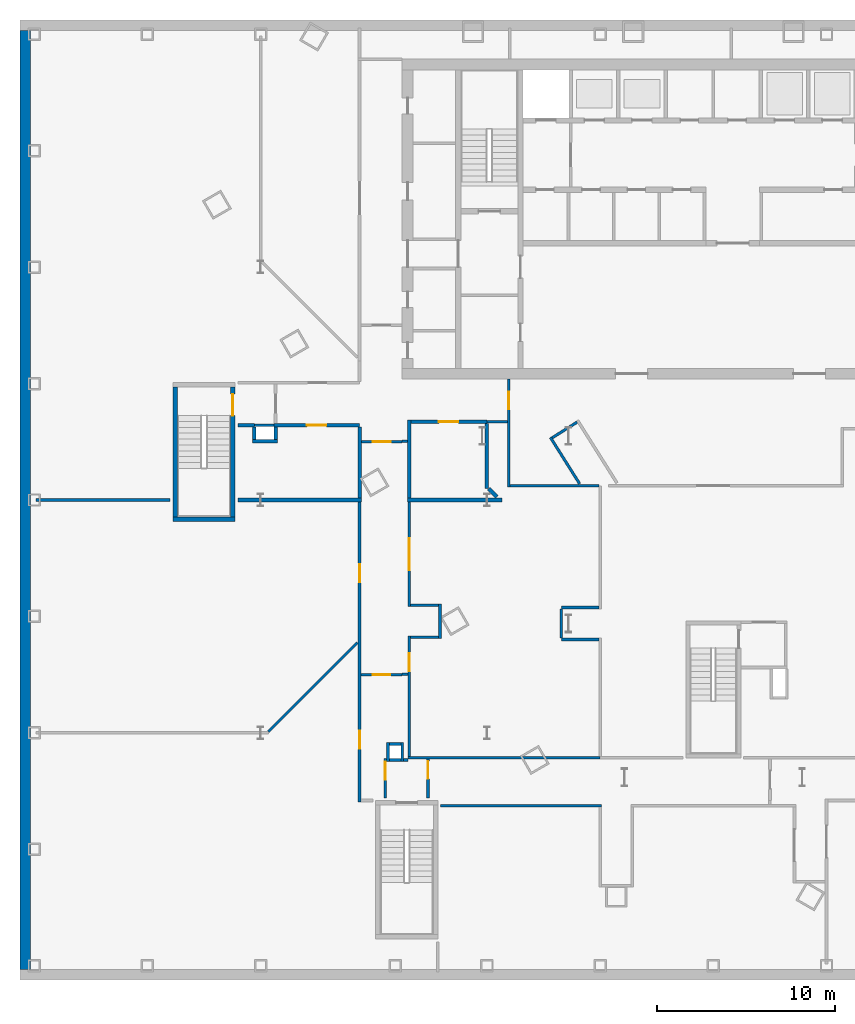
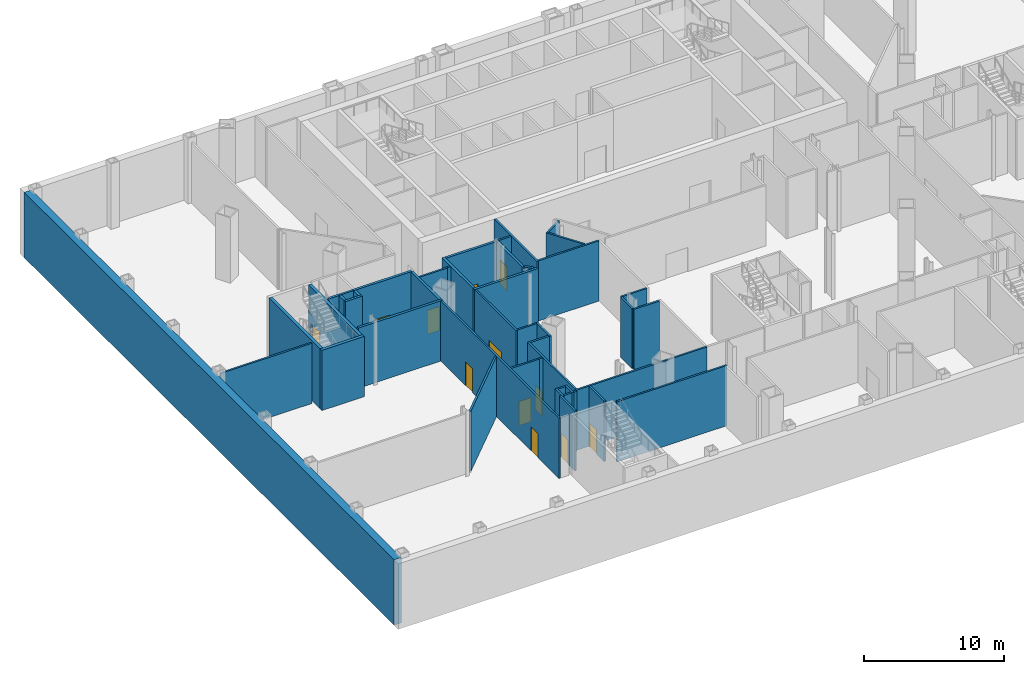
# One storey, part 5 of 18: 46 walls, 12 doors, 12 openings.
"""IFC4 building model written with IfcOpenShell, lengths in metres."""

import ifcopenshell
import ifcopenshell.guid

model = None  # the IFC model being written
_history = None  # IfcOwnerHistory: only IFC2X3 demands one
_inside = {}  # id of a spatial element -> (the spatial element, [elements in it])
_under = {}  # id of a project, library or spatial element -> (it, [spatial elements below it])
_declared = {}  # id of a project -> (the project, [libraries it declares])
_typed = {}  # id of a type object -> (the type object, [elements of that type])
_made_of = {}  # id of a material, layer set ... -> (it, [elements and type objects made of it])


def new_model(schema):
    """Start an empty IFC model of exactly this schema.

    Asked for "IFC4X3", IfcOpenShell would pick the latest addendum, in which some entities
    have other attributes; the version numbers below select the first issue.
    IFC2X3 requires an IfcOwnerHistory on every rooted entity: one is made here for all.
    """
    global model, _history
    if schema == "IFC4X3":
        model = ifcopenshell.file(schema_version=(4, 3, 0, 0))
    else:
        model = ifcopenshell.file(schema=schema)
    _inside.clear()
    _under.clear()
    _declared.clear()
    _typed.clear()
    _made_of.clear()
    _history = None
    if model.schema == "IFC2X3":
        org = make("IfcOrganization", Name="unknown")
        user = make(
            "IfcPersonAndOrganization",
            ThePerson=make("IfcPerson", FamilyName="unknown"),
            TheOrganization=org,
        )
        app = make(
            "IfcApplication",
            ApplicationDeveloper=org,
            Version="unknown",
            ApplicationFullName="unknown",
            ApplicationIdentifier="unknown",
        )
        _history = make(
            "IfcOwnerHistory",
            OwningUser=user,
            OwningApplication=app,
            ChangeAction="ADDED",
            CreationDate=0,
        )
    return model


def make(cls, **values):
    """One entity of the class cls with the attributes given. An attribute that is None is left unset."""
    return model.create_entity(
        cls, **{name: value for name, value in values.items() if value is not None}
    )


def rooted(cls, **values):
    """An entity with a GlobalId (a new one), such as an element, a storey or a relation."""
    return make(cls, GlobalId=ifcopenshell.guid.new(), OwnerHistory=_history, **values)


def si_unit(unit_type, name, prefix=None):
    """IfcSIUnit, for example si_unit("LENGTHUNIT", "METRE", prefix="MILLI")."""
    return make("IfcSIUnit", UnitType=unit_type, Prefix=prefix, Name=name)


def assignment(units):
    """IfcUnitAssignment: the units of a project."""
    return None if units is None else make("IfcUnitAssignment", Units=units)


def point(xyz):
    """IfcCartesianPoint."""
    return None if xyz is None else make("IfcCartesianPoint", Coordinates=xyz)


def direction(xyz):
    """IfcDirection."""
    return None if xyz is None else make("IfcDirection", DirectionRatios=xyz)


def frame(location, z_axis=None, x_axis=None):
    """IfcAxis2Placement3D, a coordinate frame: its origin and axes. An axis left out is left unset."""
    return make(
        "IfcAxis2Placement3D",
        Location=point(location),
        Axis=direction(z_axis),
        RefDirection=direction(x_axis),
    )


def frame_2d(location, x_axis=None):
    """IfcAxis2Placement2D, a coordinate frame in the plane: its origin and x axis."""
    return make(
        "IfcAxis2Placement2D", Location=point(location), RefDirection=direction(x_axis)
    )


def origin():
    """The frame at (0, 0, 0) with its axes left unset."""
    return frame((0.0, 0.0, 0.0))


def place(relative_to, where):
    """IfcLocalPlacement: puts the frame where relative to a parent placement (None: the world)."""
    return make(
        "IfcLocalPlacement", PlacementRelTo=relative_to, RelativePlacement=where
    )


def context(
    kind, dimensions, precision=None, world=None, true_north=None, identifier=None
):
    """IfcGeometricRepresentationContext, for example the 3D "Model" context."""
    return make(
        "IfcGeometricRepresentationContext",
        ContextIdentifier=identifier,
        ContextType=kind,
        CoordinateSpaceDimension=dimensions,
        Precision=precision,
        WorldCoordinateSystem=world,
        TrueNorth=true_north,
    )


def subcontext(parent, identifier, kind, view, scale=None):
    """IfcGeometricRepresentationSubContext, for example "Body" below "Model"."""
    return make(
        "IfcGeometricRepresentationSubContext",
        ContextIdentifier=identifier,
        ContextType=kind,
        ParentContext=parent,
        TargetScale=scale,
        TargetView=view,
    )


def project(units=None, contexts=None):
    """IfcProject with its units and contexts."""
    return rooted(
        "IfcProject",
        Name="project",
        RepresentationContexts=contexts,
        UnitsInContext=assignment(units),
    )


def spatial(cls, under=None, at=None, **own):
    """A site, building, storey or space (cls), placed at a placement, below another one or the project."""
    s = rooted(cls, ObjectPlacement=at, **own)
    if under is not None:
        _under.setdefault(under.id(), (under, []))[1].append(s)
    return s


def profile(cls, at=None, kind="AREA", **sizes):
    """A parametric profile (cls). Its sizes go by their IFC names, for example OverallWidth=200.0."""
    return make(cls, ProfileType=kind, Position=at, **sizes)


def rectangle(**sizes):
    """IfcRectangleProfileDef."""
    return profile("IfcRectangleProfileDef", **sizes)


def extrude(swept, where, along, depth):
    """IfcExtrudedAreaSolid: the profile swept, set in the frame where, extruded along a direction by depth."""
    return make(
        "IfcExtrudedAreaSolid",
        SweptArea=swept,
        Position=where,
        ExtrudedDirection=direction(along),
        Depth=depth,
    )


def shape(context_of_items, identifier, shape_type, items):
    """IfcShapeRepresentation: the items that make up one representation, for example the "Body"."""
    return make(
        "IfcShapeRepresentation",
        ContextOfItems=context_of_items,
        RepresentationIdentifier=identifier,
        RepresentationType=shape_type,
        Items=items,
    )


def material(Name=None, Category=None):
    """IfcMaterial."""
    return make("IfcMaterial", Name=Name, Category=Category)


def layer(
    of_material, thickness, ventilated=None, Name=None, Category=None, Priority=None
):
    """IfcMaterialLayer: one layer of a wall or slab, of a material (None: an air gap)."""
    return make(
        "IfcMaterialLayer",
        Material=of_material,
        LayerThickness=thickness,
        IsVentilated=ventilated,
        Name=Name,
        Category=Category,
        Priority=Priority,
    )


def layer_set(layers, Name=None):
    """IfcMaterialLayerSet."""
    return make("IfcMaterialLayerSet", MaterialLayers=layers, LayerSetName=Name)


def made_of(thing, what):
    """Note that an element or type object is made of a material, layer set ...; save() writes the relation."""
    if what is not None:
        _made_of.setdefault(what.id(), (what, []))[1].append(thing)
    return thing


def type_object(cls, material=None, **own):
    """A type object (cls), such as IfcWallType, which elements share."""
    return made_of(rooted(cls, **own), material)


def element(
    cls,
    number,
    at=None,
    inside=None,
    cuts=None,
    type_object=None,
    material=None,
    context=None,
    identifier="Body",
    shape_type=None,
    held_by="IfcProductDefinitionShape",
    body=None,
    shapes=None,
    **own,
):
    """One element of the class cls, such as IfcWall. Its Tag is "e" and its number.

    at: its placement. inside: the storey or other place that contains it. cuts: it is an
    opening in that element (IfcRelVoidsElement). A single representation is given by context,
    identifier, shape_type and body (its items); several are given by shapes. held_by: the class
    of the entity that holds the representations. save() writes the other relations.
    """
    e = rooted(cls, Tag="e%d" % number, ObjectPlacement=at, **own)
    if body is not None:
        shapes = [shape(context, identifier, shape_type, body)]
    if shapes is not None:
        e.Representation = make(held_by, Representations=shapes)
    if inside is not None:
        _inside.setdefault(inside.id(), (inside, []))[1].append(e)
    if cuts is not None:
        rooted(
            "IfcRelVoidsElement", RelatingBuildingElement=cuts, RelatedOpeningElement=e
        )
    if type_object is not None:
        _typed.setdefault(type_object.id(), (type_object, []))[1].append(e)
    return made_of(e, material)


def fill(opening, filler):
    """IfcRelFillsElement: the door or window that sits in an opening."""
    return rooted(
        "IfcRelFillsElement",
        RelatingOpeningElement=opening,
        RelatedBuildingElement=filler,
    )


def aggregate(whole, parts):
    """IfcRelAggregates: a whole, such as a stair, and the parts it consists of."""
    return rooted("IfcRelAggregates", RelatingObject=whole, RelatedObjects=parts)


def save(model, path):
    """Write the relations noted so far, then the file.

    IfcRelAggregates (storeys below a building ...), IfcRelContainedInSpatialStructure (elements
    in a storey), IfcRelDefinesByType, IfcRelAssociatesMaterial and IfcRelDeclares: one each for
    every whole, place, type object, material and project.
    """
    for whole, parts in _under.values():
        aggregate(whole, parts)
    for where, things in _inside.values():
        rooted(
            "IfcRelContainedInSpatialStructure",
            RelatedElements=things,
            RelatingStructure=where,
        )
    for kind, things in _typed.values():
        rooted("IfcRelDefinesByType", RelatedObjects=things, RelatingType=kind)
    for what, things in _made_of.values():
        rooted("IfcRelAssociatesMaterial", RelatedObjects=things, RelatingMaterial=what)
    for by, libraries in _declared.values():
        rooted("IfcRelDeclares", RelatingContext=by, RelatedDefinitions=libraries)
    model.write(path)


model = new_model("IFC4")

# Units and contexts
model_context = context("Model", 3, precision=1e-05, world=origin(), true_north=direction((0.0, 1.0)))
body_context = subcontext(model_context, "Body", "Model", "MODEL_VIEW")
ifc_project = project(units=[si_unit("LENGTHUNIT", "METRE"), si_unit("AREAUNIT", "SQUARE_METRE"), si_unit("VOLUMEUNIT", "CUBIC_METRE"), si_unit("PLANEANGLEUNIT", "RADIAN"), si_unit("MASSUNIT", "GRAM", prefix="KILO")], contexts=[model_context])

# Site, building, storey
site_placement = place(None, origin())
site = spatial("IfcSite", under=ifc_project, at=site_placement, CompositionType="ELEMENT")
building_placement = place(site_placement, origin())
building = spatial("IfcBuilding", under=site, at=building_placement, Name="Njiva Tower", CompositionType="ELEMENT")
storey_placement = place(building_placement, frame((0.0, 0.0, -5.7)))
storey = spatial("IfcBuildingStorey", under=building, at=storey_placement, Name="B1", CompositionType="ELEMENT", Elevation=-5.7)

# Walls
ifc_material_1 = material(Name="Gypsum board on steel studs", Category="gypsum")
ifc_layer_1 = layer(ifc_material_1, 0.15)
ifc_layer_set_1 = layer_set([ifc_layer_1], Name="Gypsum board on steel studs")
wall_type_1 = type_object("IfcWallType", Name="WT21 Compartment wall 150", PredefinedType="PARTITIONING", material=ifc_layer_set_1)
wall_1_placement = place(storey_placement, frame((-38.1, -6.8, 0.0), z_axis=(0.0, 0.0, 1.0), x_axis=(1.0, 0.0, 0.0)))
element("IfcWall", 1, at=wall_1_placement, inside=storey, type_object=wall_type_1, Name="Partition B1-P002", PredefinedType="PARTITIONING", context=body_context, shape_type="SweptSolid", body=[
    extrude(rectangle(XDim=7.55, YDim=0.15, at=frame_2d((3.775, 0.0))), origin(), (0.0, 0.0, 1.0), 5.25),
])
wall_2_placement = place(storey_placement, frame((-25.026, -19.825, 0.0), z_axis=(0.0, 0.0, 1.0), x_axis=(0.707106781187, 0.707106781187, 0.0)))
element("IfcWall", 2, at=wall_2_placement, inside=storey, type_object=wall_type_1, Name="Partition B1-P011", PredefinedType="PARTITIONING", context=body_context, shape_type="SweptSolid", body=[
    extrude(rectangle(XDim=7.0682, YDim=0.15, at=frame_2d((3.5341, 0.0))), origin(), (0.0, 0.0, 1.0), 5.25),
])

# Wall, openings, doors
wall_3_placement = place(storey_placement, frame((-19.9, -23.775, 0.0), z_axis=(0.0, 0.0, 1.0), x_axis=(0.0, 1.0, 0.0)))
wall_3 = element("IfcWall", 3, at=wall_3_placement, inside=storey, type_object=wall_type_1, Name="Partition B1-P016", PredefinedType="PARTITIONING", context=body_context, shape_type="SweptSolid", body=[
    extrude(rectangle(XDim=16.875, YDim=0.15, at=frame_2d((8.4375, 0.0))), origin(), (0.0, 0.0, 1.0), 5.25),
])
opening_1_placement = place(wall_3_placement, frame((2.993, 0.0, 0.0)))
opening_1 = element("IfcOpeningElement", 4, at=opening_1_placement, cuts=wall_3, Name="Opening B1-D004", PredefinedType="OPENING", context=body_context, shape_type="SweptSolid", body=[
    extrude(rectangle(XDim=1.0, YDim=2.1, at=frame_2d((0.5, 1.05))), frame((0.0, 0.085, 0.0), z_axis=(0.0, -1.0, 0.0), x_axis=(1.0, 0.0, 0.0)), (0.0, 0.0, 1.0), 0.17),
])
opening_2_placement = place(wall_3_placement, frame((12.35, 0.0, 0.0)))
opening_2 = element("IfcOpeningElement", 5, at=opening_2_placement, cuts=wall_3, Name="Opening B1-D005", PredefinedType="OPENING", context=body_context, shape_type="SweptSolid", body=[
    extrude(rectangle(XDim=1.0, YDim=2.1, at=frame_2d((0.5, 1.05))), frame((0.0, 0.085, 0.0), z_axis=(0.0, -1.0, 0.0), x_axis=(1.0, 0.0, 0.0)), (0.0, 0.0, 1.0), 0.17),
])
ifc_material_2 = material(Name="Steel fire door set", Category="steel")
door_type_1 = type_object("IfcDoorType", Name="D37 Fire door 1000x2100", OperationType="SINGLE_SWING_LEFT", PredefinedType="DOOR", material=ifc_material_2)
door_1_placement = place(opening_1_placement, origin())
door_1 = element("IfcDoor", 6, at=door_1_placement, inside=storey, type_object=door_type_1, Name="Door B1-D004", OperationType="SINGLE_SWING_RIGHT", OverallHeight=2.1, OverallWidth=1.0, PredefinedType="DOOR", context=body_context, shape_type="SweptSolid", body=[
    extrude(rectangle(XDim=1.0, YDim=2.1, at=frame_2d((0.5, 1.05))), frame((0.0, 0.025, 0.0), z_axis=(0.0, -1.0, 0.0), x_axis=(1.0, 0.0, 0.0)), (0.0, 0.0, 1.0), 0.05),
])
fill(opening_1, door_1)
door_2_placement = place(opening_2_placement, origin())
door_2 = element("IfcDoor", 7, at=door_2_placement, inside=storey, type_object=door_type_1, Name="Door B1-D005", OperationType="SINGLE_SWING_LEFT", OverallHeight=2.1, OverallWidth=1.0, PredefinedType="DOOR", context=body_context, shape_type="SweptSolid", body=[
    extrude(rectangle(XDim=1.0, YDim=2.1, at=frame_2d((0.5, 1.05))), frame((0.0, 0.025, 0.0), z_axis=(0.0, -1.0, 0.0), x_axis=(1.0, 0.0, 0.0)), (0.0, 0.0, 1.0), 0.05),
])
fill(opening_2, door_2)

# Wall, opening, door
wall_4_placement = place(storey_placement, frame((-19.825, -16.625, 0.0), z_axis=(0.0, 0.0, 1.0), x_axis=(1.0, 0.0, 0.0)))
wall_4 = element("IfcWall", 8, at=wall_4_placement, inside=storey, type_object=wall_type_1, Name="Partition B1-P022", PredefinedType="PARTITIONING", context=body_context, shape_type="SweptSolid", body=[
    extrude(rectangle(XDim=2.324, YDim=0.15, at=frame_2d((1.162, 0.0))), origin(), (0.0, 0.0, 1.0), 5.25),
])
opening_3_placement = place(wall_4_placement, frame((0.662, 0.0, 0.0)))
opening_3 = element("IfcOpeningElement", 9, at=opening_3_placement, cuts=wall_4, Name="Opening B1-D007", PredefinedType="OPENING", context=body_context, shape_type="SweptSolid", body=[
    extrude(rectangle(XDim=1.0, YDim=2.1, at=frame_2d((0.5, 1.05))), frame((0.0, 0.085, 0.0), z_axis=(0.0, -1.0, 0.0), x_axis=(1.0, 0.0, 0.0)), (0.0, 0.0, 1.0), 0.17),
])
door_3_placement = place(opening_3_placement, origin())
door_3 = element("IfcDoor", 10, at=door_3_placement, inside=storey, type_object=door_type_1, Name="Door B1-D007", OperationType="SINGLE_SWING_LEFT", OverallHeight=2.1, OverallWidth=1.0, PredefinedType="DOOR", context=body_context, shape_type="SweptSolid", body=[
    extrude(rectangle(XDim=1.0, YDim=2.1, at=frame_2d((0.5, 1.05))), frame((0.0, 0.025, 0.0), z_axis=(0.0, -1.0, 0.0), x_axis=(1.0, 0.0, 0.0)), (0.0, 0.0, 1.0), 0.05),
])
fill(opening_3, door_3)

wall_5_placement = place(storey_placement, frame((-19.8, -3.525, 0.0), z_axis=(0.0, 0.0, 1.0), x_axis=(1.0, 0.0, 0.0)))
wall_5 = element("IfcWall", 11, at=wall_5_placement, inside=storey, type_object=wall_type_1, Name="Partition B1-P024", PredefinedType="PARTITIONING", context=body_context, shape_type="SweptSolid", body=[
    extrude(rectangle(XDim=2.3, YDim=0.15, at=frame_2d((1.15, 0.0))), origin(), (0.0, 0.0, 1.0), 5.25),
])
opening_4_placement = place(wall_5_placement, frame((0.65, 0.0, 0.0)))
opening_4 = element("IfcOpeningElement", 12, at=opening_4_placement, cuts=wall_5, Name="Opening B1-D009", PredefinedType="OPENING", context=body_context, shape_type="SweptSolid", body=[
    extrude(rectangle(XDim=1.0, YDim=2.1, at=frame_2d((0.5, 1.05))), frame((0.0, 0.085, 0.0), z_axis=(0.0, -1.0, 0.0), x_axis=(1.0, 0.0, 0.0)), (0.0, 0.0, 1.0), 0.17),
])
door_4_placement = place(opening_4_placement, origin())
door_4 = element("IfcDoor", 13, at=door_4_placement, inside=storey, type_object=door_type_1, Name="Door B1-D009", OperationType="SINGLE_SWING_RIGHT", OverallHeight=2.1, OverallWidth=1.0, PredefinedType="DOOR", context=body_context, shape_type="SweptSolid", body=[
    extrude(rectangle(XDim=1.0, YDim=2.1, at=frame_2d((0.5, 1.05))), frame((0.0, 0.025, 0.0), z_axis=(0.0, -1.0, 0.0), x_axis=(1.0, 0.0, 0.0)), (0.0, 0.0, 1.0), 0.05),
])
fill(opening_4, door_4)

wall_6_placement = place(storey_placement, frame((-18.45, -23.55, 0.0), z_axis=(0.0, 0.0, 1.0), x_axis=(0.0, 1.0, 0.0)))
wall_6 = element("IfcWall", 14, at=wall_6_placement, inside=storey, type_object=wall_type_1, Name="Partition B1-P025", PredefinedType="PARTITIONING", context=body_context, shape_type="SweptSolid", body=[
    extrude(rectangle(XDim=2.2, YDim=0.15, at=frame_2d((1.1, 0.0))), origin(), (0.0, 0.0, 1.0), 5.25),
])
opening_5_placement = place(wall_6_placement, frame((1.013, 0.0, 0.0)))
opening_5 = element("IfcOpeningElement", 15, at=opening_5_placement, cuts=wall_6, Name="Opening B1-D010", PredefinedType="OPENING", context=body_context, shape_type="SweptSolid", body=[
    extrude(rectangle(XDim=1.0, YDim=2.1, at=frame_2d((0.5, 1.05))), frame((0.0, 0.085, 0.0), z_axis=(0.0, -1.0, 0.0), x_axis=(1.0, 0.0, 0.0)), (0.0, 0.0, 1.0), 0.17),
])
ifc_material_3 = material(Name="Glazed steel fire door", Category="steel")
door_type_2 = type_object("IfcDoorType", Name="D41 Glazed fire door 1000x2100", OperationType="SINGLE_SWING_LEFT", PredefinedType="DOOR", material=ifc_material_3)
door_5_placement = place(opening_5_placement, origin())
door_5 = element("IfcDoor", 16, at=door_5_placement, inside=storey, type_object=door_type_2, Name="Door B1-D010", OperationType="SINGLE_SWING_RIGHT", OverallHeight=2.1, OverallWidth=1.0, PredefinedType="DOOR", context=body_context, shape_type="SweptSolid", body=[
    extrude(rectangle(XDim=1.0, YDim=2.1, at=frame_2d((0.5, 1.05))), frame((0.0, 0.025, 0.0), z_axis=(0.0, -1.0, 0.0), x_axis=(1.0, 0.0, 0.0)), (0.0, 0.0, 1.0), 0.05),
])
fill(opening_5, door_5)

# Walls
wall_7_placement = place(storey_placement, frame((-17.5, -16.61, 0.0), z_axis=(0.0, 0.0, 1.0), x_axis=(1.0, 0.0, 0.0)))
element("IfcWall", 17, at=wall_7_placement, inside=storey, type_object=wall_type_1, Name="Partition B1-P030", PredefinedType="PARTITIONING", context=body_context, shape_type="SweptSolid", body=[
    extrude(rectangle(XDim=0.325, YDim=0.15, at=frame_2d((0.1625, 0.0))), origin(), (0.0, 0.0, 1.0), 5.25),
])
wall_8_placement = place(storey_placement, frame((-17.5, -3.5, 0.0), z_axis=(0.0, 0.0, 1.0), x_axis=(1.0, 0.0, 0.0)))
element("IfcWall", 18, at=wall_8_placement, inside=storey, type_object=wall_type_1, Name="Partition B1-P031", PredefinedType="PARTITIONING", context=body_context, shape_type="SweptSolid", body=[
    extrude(rectangle(XDim=0.3, YDim=0.15, at=frame_2d((0.15, 0.0))), origin(), (0.0, 0.0, 1.0), 5.25),
])
wall_9_placement = place(storey_placement, frame((-17.425, -21.425, 0.0), z_axis=(0.0, 0.0, 1.0), x_axis=(1.0, 0.0, 0.0)))
element("IfcWall", 19, at=wall_9_placement, inside=storey, type_object=wall_type_1, Name="Partition B1-P032", PredefinedType="PARTITIONING", context=body_context, shape_type="SweptSolid", body=[
    extrude(rectangle(XDim=0.25, YDim=0.15, at=frame_2d((0.125, 0.0))), origin(), (0.0, 0.0, 1.0), 5.25),
])
wall_10_placement = place(storey_placement, frame((-17.175, -21.3, 0.0), z_axis=(0.0, 0.0, 1.0), x_axis=(1.0, 0.0, 0.0)))
element("IfcWall", 20, at=wall_10_placement, inside=storey, type_object=wall_type_1, Name="Partition B1-P034", PredefinedType="PARTITIONING", context=body_context, shape_type="SweptSolid", body=[
    extrude(rectangle(XDim=10.805, YDim=0.15, at=frame_2d((5.4025, 0.0))), origin(), (0.0, 0.0, 1.0), 5.25),
])

# Wall, opening, door
wall_11_placement = place(storey_placement, frame((-17.1, -21.225, 0.0), z_axis=(0.0, 0.0, 1.0), x_axis=(0.0, 1.0, 0.0)))
wall_11 = element("IfcWall", 21, at=wall_11_placement, inside=storey, type_object=wall_type_1, Name="Partition B1-P035", PredefinedType="PARTITIONING", context=body_context, shape_type="SweptSolid", body=[
    extrude(rectangle(XDim=6.785, YDim=0.15, at=frame_2d((3.3925, 0.0))), origin(), (0.0, 0.0, 1.0), 5.25),
])
opening_6_placement = place(wall_11_placement, frame((4.803, 0.0, 0.0)))
opening_6 = element("IfcOpeningElement", 22, at=opening_6_placement, cuts=wall_11, Name="Opening B1-D011", PredefinedType="OPENING", context=body_context, shape_type="SweptSolid", body=[
    extrude(rectangle(XDim=1.0, YDim=2.1, at=frame_2d((0.5, 1.05))), frame((0.0, 0.085, 0.0), z_axis=(0.0, -1.0, 0.0), x_axis=(1.0, 0.0, 0.0)), (0.0, 0.0, 1.0), 0.17),
])
door_6_placement = place(opening_6_placement, origin())
door_6 = element("IfcDoor", 23, at=door_6_placement, inside=storey, type_object=door_type_1, Name="Door B1-D011", OperationType="SINGLE_SWING_LEFT", OverallHeight=2.1, OverallWidth=1.0, PredefinedType="DOOR", context=body_context, shape_type="SweptSolid", body=[
    extrude(rectangle(XDim=1.0, YDim=2.1, at=frame_2d((0.5, 1.05))), frame((0.0, 0.025, 0.0), z_axis=(0.0, -1.0, 0.0), x_axis=(1.0, 0.0, 0.0)), (0.0, 0.0, 1.0), 0.05),
])
fill(opening_6, door_6)

wall_12_placement = place(storey_placement, frame((-17.1, -12.79, 0.0), z_axis=(0.0, 0.0, 1.0), x_axis=(0.0, 1.0, 0.0)))
wall_12 = element("IfcWall", 24, at=wall_12_placement, inside=storey, type_object=wall_type_1, Name="Partition B1-P036", PredefinedType="PARTITIONING", context=body_context, shape_type="SweptSolid", body=[
    extrude(rectangle(XDim=5.891, YDim=0.15, at=frame_2d((2.9455, 0.0))), origin(), (0.0, 0.0, 1.0), 5.25),
])
opening_7_placement = place(wall_12_placement, frame((2.033, 0.0, 0.0)))
opening_7 = element("IfcOpeningElement", 25, at=opening_7_placement, cuts=wall_12, Name="Opening B1-D012", PredefinedType="OPENING", context=body_context, shape_type="SweptSolid", body=[
    extrude(rectangle(XDim=1.8, YDim=2.1, at=frame_2d((0.9, 1.05))), frame((0.0, 0.085, 0.0), z_axis=(0.0, -1.0, 0.0), x_axis=(1.0, 0.0, 0.0)), (0.0, 0.0, 1.0), 0.17),
])
door_type_3 = type_object("IfcDoorType", Name="D38 Fire door 1800x2100", OperationType="DOUBLE_DOOR_SINGLE_SWING", PredefinedType="DOOR", material=ifc_material_2)
door_7_placement = place(opening_7_placement, origin())
door_7 = element("IfcDoor", 26, at=door_7_placement, inside=storey, type_object=door_type_3, Name="Door B1-D012", OperationType="DOUBLE_DOOR_SINGLE_SWING", OverallHeight=2.1, OverallWidth=1.8, PredefinedType="DOOR", context=body_context, shape_type="SweptSolid", body=[
    extrude(rectangle(XDim=1.8, YDim=2.1, at=frame_2d((0.9, 1.05))), frame((0.0, 0.025, 0.0), z_axis=(0.0, -1.0, 0.0), x_axis=(1.0, 0.0, 0.0)), (0.0, 0.0, 1.0), 0.05),
])
fill(opening_7, door_7)

# Walls
for number, where, z_axis, x_axis, name in (
    (27, (-17.025, -14.515, 0.0), (0.0, 0.0, 1.0), (1.0, 0.0, 0.0), "Partition B1-P038"),
    (28, (-17.025, -12.715, 0.0), (0.0, 0.0, 1.0), (1.0, 0.0, 0.0), "Partition B1-P039"),
):
    element("IfcWall", number, at=place(storey_placement, frame(where, z_axis=z_axis, x_axis=x_axis)), inside=storey, type_object=wall_type_1, Name=name, PredefinedType="PARTITIONING", context=body_context, shape_type="SweptSolid", body=[
        extrude(rectangle(XDim=1.577, YDim=0.15, at=frame_2d((0.7885, 0.0))), origin(), (0.0, 0.0, 1.0), 5.25),
    ])

# Wall, opening, door
wall_13_placement = place(storey_placement, frame((-16.05, -23.55, 0.0), z_axis=(0.0, 0.0, 1.0), x_axis=(0.0, 1.0, 0.0)))
wall_13 = element("IfcWall", 29, at=wall_13_placement, inside=storey, type_object=wall_type_1, Name="Partition B1-P041", PredefinedType="PARTITIONING", context=body_context, shape_type="SweptSolid", body=[
    extrude(rectangle(XDim=2.175, YDim=0.15, at=frame_2d((1.0875, 0.0))), origin(), (0.0, 0.0, 1.0), 5.25),
])
opening_8_placement = place(wall_13_placement, frame((1.063, 0.0, 0.0)))
opening_8 = element("IfcOpeningElement", 30, at=opening_8_placement, cuts=wall_13, Name="Opening B1-D014", PredefinedType="OPENING", context=body_context, shape_type="SweptSolid", body=[
    extrude(rectangle(XDim=1.0, YDim=2.1, at=frame_2d((0.5, 1.05))), frame((0.0, 0.085, 0.0), z_axis=(0.0, -1.0, 0.0), x_axis=(1.0, 0.0, 0.0)), (0.0, 0.0, 1.0), 0.17),
])
door_8_placement = place(opening_8_placement, origin())
door_8 = element("IfcDoor", 31, at=door_8_placement, inside=storey, type_object=door_type_2, Name="Door B1-D014", OperationType="SINGLE_SWING_LEFT", OverallHeight=2.1, OverallWidth=1.0, PredefinedType="DOOR", context=body_context, shape_type="SweptSolid", body=[
    extrude(rectangle(XDim=1.0, YDim=2.1, at=frame_2d((0.5, 1.05))), frame((0.0, 0.025, 0.0), z_axis=(0.0, -1.0, 0.0), x_axis=(1.0, 0.0, 0.0)), (0.0, 0.0, 1.0), 0.05),
])
fill(opening_8, door_8)

# Walls
wall_14_placement = place(storey_placement, frame((-15.373, -14.59, 0.0), z_axis=(0.0, 0.0, 1.0), x_axis=(0.0, 1.0, 0.0)))
element("IfcWall", 32, at=wall_14_placement, inside=storey, type_object=wall_type_1, Name="Partition B1-P043", PredefinedType="PARTITIONING", context=body_context, shape_type="SweptSolid", body=[
    extrude(rectangle(XDim=1.95, YDim=0.15, at=frame_2d((0.975, 0.0))), origin(), (0.0, 0.0, 1.0), 5.25),
])
wall_15_placement = place(storey_placement, frame((-15.35, -24.0, 0.0), z_axis=(0.0, 0.0, 1.0), x_axis=(1.0, 0.0, 0.0)))
element("IfcWall", 33, at=wall_15_placement, inside=storey, type_object=wall_type_1, Name="Partition B1-P044", PredefinedType="PARTITIONING", context=body_context, shape_type="SweptSolid", body=[
    extrude(rectangle(XDim=9.064, YDim=0.15, at=frame_2d((4.532, 0.0))), origin(), (0.0, 0.0, 1.0), 5.25),
])
wall_16_placement = place(storey_placement, frame((-12.721, -2.4, 0.0), z_axis=(0.0, 0.0, 1.0), x_axis=(1.0, 0.0, 0.0)))
element("IfcWall", 34, at=wall_16_placement, inside=storey, type_object=wall_type_1, Name="Partition B1-P046", PredefinedType="PARTITIONING", context=body_context, shape_type="SweptSolid", body=[
    extrude(rectangle(XDim=1.146, YDim=0.15, at=frame_2d((0.573, 0.0))), origin(), (0.0, 0.0, 1.0), 5.25),
])

# Wall, opening, door
wall_17_placement = place(storey_placement, frame((-11.5, -6.075, 0.0), z_axis=(0.0, 0.0, 1.0), x_axis=(0.0, 1.0, 0.0)))
wall_17 = element("IfcWall", 35, at=wall_17_placement, inside=storey, type_object=wall_type_1, Name="Partition B1-P048", PredefinedType="PARTITIONING", context=body_context, shape_type="SweptSolid", body=[
    extrude(rectangle(XDim=6.075, YDim=0.15, at=frame_2d((3.0375, 0.0))), origin(), (0.0, 0.0, 1.0), 5.25),
])
opening_9_placement = place(wall_17_placement, frame((4.375, 0.0, 0.0)))
opening_9 = element("IfcOpeningElement", 36, at=opening_9_placement, cuts=wall_17, Name="Opening B1-D015", PredefinedType="OPENING", context=body_context, shape_type="SweptSolid", body=[
    extrude(rectangle(XDim=1.0, YDim=2.1, at=frame_2d((0.5, 1.05))), frame((0.0, 0.085, 0.0), z_axis=(0.0, -1.0, 0.0), x_axis=(1.0, 0.0, 0.0)), (0.0, 0.0, 1.0), 0.17),
])
door_9_placement = place(opening_9_placement, origin())
door_9 = element("IfcDoor", 37, at=door_9_placement, inside=storey, type_object=door_type_1, Name="Door B1-D015", OperationType="SINGLE_SWING_LEFT", OverallHeight=2.1, OverallWidth=1.0, PredefinedType="DOOR", context=body_context, shape_type="SweptSolid", body=[
    extrude(rectangle(XDim=1.0, YDim=2.1, at=frame_2d((0.5, 1.05))), frame((0.0, 0.025, 0.0), z_axis=(0.0, -1.0, 0.0), x_axis=(1.0, 0.0, 0.0)), (0.0, 0.0, 1.0), 0.05),
])
fill(opening_9, door_9)

# Walls
wall_18_placement = place(storey_placement, frame((-11.425, -6.0, 0.0), z_axis=(0.0, 0.0, 1.0), x_axis=(1.0, 0.0, 0.0)))
element("IfcWall", 38, at=wall_18_placement, inside=storey, type_object=wall_type_1, Name="Partition B1-P050", PredefinedType="PARTITIONING", context=body_context, shape_type="SweptSolid", body=[
    extrude(rectangle(XDim=4.983, YDim=0.15, at=frame_2d((2.4915, 0.0))), origin(), (0.0, 0.0, 1.0), 5.25),
])
wall_19_placement = place(storey_placement, frame((-9.165, -3.278, 0.0), z_axis=(0.0, 0.0, 1.0), x_axis=(0.532942389679, -0.846151528559, 0.0)))
element("IfcWall", 39, at=wall_19_placement, inside=storey, type_object=wall_type_1, Name="Partition B1-P051", PredefinedType="PARTITIONING", context=body_context, shape_type="SweptSolid", body=[
    extrude(rectangle(XDim=3.081, YDim=0.15, at=frame_2d((1.5405, 0.0))), origin(), (0.0, 0.0, 1.0), 5.25),
])
wall_20_placement = place(storey_placement, frame((-9.062, -3.301, 0.0), z_axis=(0.0, 0.0, 1.0), x_axis=(0.846394682691, 0.53255613893, 0.0)))
element("IfcWall", 40, at=wall_20_placement, inside=storey, type_object=wall_type_1, Name="Partition B1-P052", PredefinedType="PARTITIONING", context=body_context, shape_type="SweptSolid", body=[
    extrude(rectangle(XDim=1.6505, YDim=0.15, at=frame_2d((0.8252, 0.0))), origin(), (0.0, 0.0, 1.0), 5.25),
])
wall_21_placement = place(storey_placement, frame((-8.55, -14.575, 0.0), z_axis=(0.0, 0.0, 1.0), x_axis=(0.0, 1.0, 0.0)))
element("IfcWall", 41, at=wall_21_placement, inside=storey, type_object=wall_type_1, Name="Partition B1-P053", PredefinedType="PARTITIONING", context=body_context, shape_type="SweptSolid", body=[
    extrude(rectangle(XDim=1.65, YDim=0.15, at=frame_2d((0.825, 0.0))), origin(), (0.0, 0.0, 1.0), 5.25),
])
for number, where, z_axis, x_axis, name in (
    (42, (-8.547, -14.65, 0.0), (0.0, 0.0, 1.0), (1.0, 0.0, 0.0), "Partition B1-P054"),
    (43, (-8.547, -12.85, 0.0), (0.0, 0.0, 1.0), (1.0, 0.0, 0.0), "Partition B1-P055"),
):
    element("IfcWall", number, at=place(storey_placement, frame(where, z_axis=z_axis, x_axis=x_axis)), inside=storey, type_object=wall_type_1, Name=name, PredefinedType="PARTITIONING", context=body_context, shape_type="SweptSolid", body=[
        extrude(rectangle(XDim=2.105, YDim=0.15, at=frame_2d((1.0525, 0.0))), origin(), (0.0, 0.0, 1.0), 5.25),
    ])
ifc_material_4 = material(Name="Blockwork", Category="masonry")
ifc_layer_2 = layer(ifc_material_4, 0.2)
ifc_layer_set_2 = layer_set([ifc_layer_2], Name="Blockwork")
wall_type_2 = type_object("IfcWallType", Name="WT22 Plant room wall 200", PredefinedType="PARTITIONING", material=ifc_layer_set_2)
wall_22_placement = place(storey_placement, frame((-26.75, -6.8, 0.0), z_axis=(0.0, 0.0, 1.0), x_axis=(1.0, 0.0, 0.0)))
element("IfcWall", 44, at=wall_22_placement, inside=storey, type_object=wall_type_2, Name="Partition B1-P003", PredefinedType="PARTITIONING", context=body_context, shape_type="SweptSolid", body=[
    extrude(rectangle(XDim=6.95, YDim=0.2, at=frame_2d((3.475, 0.0))), origin(), (0.0, 0.0, 1.0), 5.25),
])
wall_23_placement = place(storey_placement, frame((-26.75, -2.6, 0.0), z_axis=(0.0, 0.0, 1.0), x_axis=(1.0, 0.0, 0.0)))
element("IfcWall", 45, at=wall_23_placement, inside=storey, type_object=wall_type_2, Name="Partition B1-P004", PredefinedType="PARTITIONING", context=body_context, shape_type="SweptSolid", body=[
    extrude(rectangle(XDim=0.937, YDim=0.2, at=frame_2d((0.4685, 0.0))), origin(), (0.0, 0.0, 1.0), 5.25),
])
wall_24_placement = place(storey_placement, frame((-25.925, -3.5, 0.0), z_axis=(0.0, 0.0, 1.0), x_axis=(1.0, 0.0, 0.0)))
element("IfcWall", 46, at=wall_24_placement, inside=storey, type_object=wall_type_2, Name="Partition B1-P006", PredefinedType="PARTITIONING", context=body_context, shape_type="SweptSolid", body=[
    extrude(rectangle(XDim=1.4, YDim=0.2, at=frame_2d((0.7, 0.0))), origin(), (0.0, 0.0, 1.0), 5.25),
])
wall_25_placement = place(storey_placement, frame((-25.825, -3.4, 0.0), z_axis=(0.0, 0.0, 1.0), x_axis=(0.0, 1.0, 0.0)))
element("IfcWall", 47, at=wall_25_placement, inside=storey, type_object=wall_type_2, Name="Partition B1-P007", PredefinedType="PARTITIONING", context=body_context, shape_type="SweptSolid", body=[
    extrude(rectangle(XDim=0.7, YDim=0.2, at=frame_2d((0.35, 0.0))), origin(), (0.0, 0.0, 1.0), 5.25),
])

# Wall, opening, door
wall_26_placement = place(storey_placement, frame((-24.725, -2.6, 0.0), z_axis=(0.0, 0.0, 1.0), x_axis=(1.0, 0.0, 0.0)))
wall_26 = element("IfcWall", 48, at=wall_26_placement, inside=storey, type_object=wall_type_2, Name="Partition B1-P012", PredefinedType="PARTITIONING", context=body_context, shape_type="SweptSolid", body=[
    extrude(rectangle(XDim=4.825, YDim=0.2, at=frame_2d((2.4125, 0.0))), origin(), (0.0, 0.0, 1.0), 5.25),
])
opening_10_placement = place(wall_26_placement, frame((1.862, 0.0, 0.0)))
opening_10 = element("IfcOpeningElement", 49, at=opening_10_placement, cuts=wall_26, Name="Opening B1-D002", PredefinedType="OPENING", context=body_context, shape_type="SweptSolid", body=[
    extrude(rectangle(XDim=1.1, YDim=2.1, at=frame_2d((0.55, 1.05))), frame((0.0, 0.11, 0.0), z_axis=(0.0, -1.0, 0.0), x_axis=(1.0, 0.0, 0.0)), (0.0, 0.0, 1.0), 0.22),
])
ifc_material_5 = material(Name="Steel door set", Category="steel")
door_type_4 = type_object("IfcDoorType", Name="D34 Plant door 1100x2100", OperationType="SINGLE_SWING_LEFT", PredefinedType="DOOR", material=ifc_material_5)
door_10_placement = place(opening_10_placement, origin())
door_10 = element("IfcDoor", 50, at=door_10_placement, inside=storey, type_object=door_type_4, Name="Door B1-D002", OperationType="SINGLE_SWING_LEFT", OverallHeight=2.1, OverallWidth=1.1, PredefinedType="DOOR", context=body_context, shape_type="SweptSolid", body=[
    extrude(rectangle(XDim=1.1, YDim=2.1, at=frame_2d((0.55, 1.05))), frame((0.0, 0.025, 0.0), z_axis=(0.0, -1.0, 0.0), x_axis=(1.0, 0.0, 0.0)), (0.0, 0.0, 1.0), 0.05),
])
fill(opening_10, door_10)

# Walls
wall_27_placement = place(storey_placement, frame((-24.625, -3.4, 0.0), z_axis=(0.0, 0.0, 1.0), x_axis=(0.0, 1.0, 0.0)))
element("IfcWall", 51, at=wall_27_placement, inside=storey, type_object=wall_type_2, Name="Partition B1-P013", PredefinedType="PARTITIONING", context=body_context, shape_type="SweptSolid", body=[
    extrude(rectangle(XDim=0.7, YDim=0.2, at=frame_2d((0.35, 0.0))), origin(), (0.0, 0.0, 1.0), 5.25),
])
wall_28_placement = place(storey_placement, frame((-19.9, -6.7, 0.0), z_axis=(0.0, 0.0, 1.0), x_axis=(0.0, 1.0, 0.0)))
element("IfcWall", 52, at=wall_28_placement, inside=storey, type_object=wall_type_2, Name="Partition B1-P017", PredefinedType="PARTITIONING", context=body_context, shape_type="SweptSolid", body=[
    extrude(rectangle(XDim=4.0, YDim=0.2, at=frame_2d((2.0, 0.0))), origin(), (0.0, 0.0, 1.0), 5.25),
])
wall_29_placement = place(storey_placement, frame((-17.2, -6.799, 0.0), z_axis=(0.0, 0.0, 1.0), x_axis=(0.999999982193, -0.000188714848, 0.0)))
element("IfcWall", 53, at=wall_29_placement, inside=storey, type_object=wall_type_2, Name="Partition B1-P033", PredefinedType="PARTITIONING", context=body_context, shape_type="SweptSolid", body=[
    extrude(rectangle(XDim=5.299, YDim=0.2, at=frame_2d((2.6495, 0.0))), origin(), (0.0, 0.0, 1.0), 5.25),
])
wall_30_placement = place(storey_placement, frame((-17.1, -6.699, 0.0), z_axis=(0.0, 0.0, 1.0), x_axis=(0.0, 1.0, 0.0)))
element("IfcWall", 54, at=wall_30_placement, inside=storey, type_object=wall_type_2, Name="Partition B1-P037", PredefinedType="PARTITIONING", context=body_context, shape_type="SweptSolid", body=[
    extrude(rectangle(XDim=4.399, YDim=0.2, at=frame_2d((2.1995, 0.0))), origin(), (0.0, 0.0, 1.0), 5.25),
])

# Wall, opening, door
wall_31_placement = place(storey_placement, frame((-17.0, -2.4, 0.0), z_axis=(0.0, 0.0, 1.0), x_axis=(1.0, 0.0, 0.0)))
wall_31 = element("IfcWall", 55, at=wall_31_placement, inside=storey, type_object=wall_type_2, Name="Partition B1-P040", PredefinedType="PARTITIONING", context=body_context, shape_type="SweptSolid", body=[
    extrude(rectangle(XDim=4.279, YDim=0.2, at=frame_2d((2.1395, 0.0))), origin(), (0.0, 0.0, 1.0), 5.25),
])
opening_11_placement = place(wall_31_placement, frame((1.558, 0.0, 0.0)))
opening_11 = element("IfcOpeningElement", 56, at=opening_11_placement, cuts=wall_31, Name="Opening B1-D013", PredefinedType="OPENING", context=body_context, shape_type="SweptSolid", body=[
    extrude(rectangle(XDim=1.1, YDim=2.1, at=frame_2d((0.55, 1.05))), frame((0.0, 0.11, 0.0), z_axis=(0.0, -1.0, 0.0), x_axis=(1.0, 0.0, 0.0)), (0.0, 0.0, 1.0), 0.22),
])
door_11_placement = place(opening_11_placement, origin())
door_11 = element("IfcDoor", 57, at=door_11_placement, inside=storey, type_object=door_type_4, Name="Door B1-D013", OperationType="SINGLE_SWING_LEFT", OverallHeight=2.1, OverallWidth=1.1, PredefinedType="DOOR", context=body_context, shape_type="SweptSolid", body=[
    extrude(rectangle(XDim=1.1, YDim=2.1, at=frame_2d((0.55, 1.05))), frame((0.0, 0.025, 0.0), z_axis=(0.0, -1.0, 0.0), x_axis=(1.0, 0.0, 0.0)), (0.0, 0.0, 1.0), 0.05),
])
fill(opening_11, door_11)

# Walls
wall_32_placement = place(storey_placement, frame((-12.733, -6.167, 0.0), z_axis=(0.0, 0.0, 1.0), x_axis=(0.0, 1.0, 0.0)))
element("IfcWall", 58, at=wall_32_placement, inside=storey, type_object=wall_type_2, Name="Partition B1-P045", PredefinedType="PARTITIONING", context=body_context, shape_type="SweptSolid", body=[
    extrude(rectangle(XDim=3.667, YDim=0.2, at=frame_2d((1.8335, 0.0))), origin(), (0.0, 0.0, 1.0), 5.25),
])
wall_33_placement = place(storey_placement, frame((-12.633, -6.167, 0.0), z_axis=(0.0, 0.0, 1.0), x_axis=(0.707106781187, -0.707106781187, 0.0)))
element("IfcWall", 59, at=wall_33_placement, inside=storey, type_object=wall_type_2, Name="Partition B1-P047", PredefinedType="PARTITIONING", context=body_context, shape_type="SweptSolid", body=[
    extrude(rectangle(XDim=0.6534, YDim=0.2, at=frame_2d((0.3267, 0.0))), origin(), (0.0, 0.0, 1.0), 5.25),
])
ifc_layer_3 = layer(ifc_material_1, 0.15)
ifc_layer_set_3 = layer_set([ifc_layer_3], Name="Gypsum board on steel studs")
wall_type_3 = type_object("IfcWallType", Name="WT24 Riser room wall 150", PredefinedType="PARTITIONING", material=ifc_layer_set_3)
wall_34_placement = place(storey_placement, frame((-25.813, -2.6, 0.0), z_axis=(0.0, 0.0, 1.0), x_axis=(1.0, 0.0, 0.0)))
element("IfcWall", 60, at=wall_34_placement, inside=storey, type_object=wall_type_3, Name="Partition B1-P008", PredefinedType="PARTITIONING", context=body_context, shape_type="SweptSolid", body=[
    extrude(rectangle(XDim=1.088, YDim=0.15, at=frame_2d((0.544, 0.0))), origin(), (0.0, 0.0, 1.0), 5.25),
])
wall_35_placement = place(storey_placement, frame((-18.3, -21.5, 0.0), z_axis=(0.0, 0.0, 1.0), x_axis=(0.0, 1.0, 0.0)))
element("IfcWall", 61, at=wall_35_placement, inside=storey, type_object=wall_type_3, Name="Partition B1-P026", PredefinedType="PARTITIONING", context=body_context, shape_type="SweptSolid", body=[
    extrude(rectangle(XDim=1.05, YDim=0.15, at=frame_2d((0.525, 0.0))), origin(), (0.0, 0.0, 1.0), 5.25),
])
for number, where, z_axis, x_axis, name in (
    (62, (-18.225, -21.425, 0.0), (0.0, 0.0, 1.0), (1.0, 0.0, 0.0), "Partition B1-P027"),
    (63, (-18.225, -20.525, 0.0), (0.0, 0.0, 1.0), (1.0, 0.0, 0.0), "Partition B1-P028"),
):
    element("IfcWall", number, at=place(storey_placement, frame(where, z_axis=z_axis, x_axis=x_axis)), inside=storey, type_object=wall_type_3, Name=name, PredefinedType="PARTITIONING", context=body_context, shape_type="SweptSolid", body=[
        extrude(rectangle(XDim=0.65, YDim=0.15, at=frame_2d((0.325, 0.0))), origin(), (0.0, 0.0, 1.0), 5.25),
    ])
wall_36_placement = place(storey_placement, frame((-17.5, -21.5, 0.0), z_axis=(0.0, 0.0, 1.0), x_axis=(0.0, 1.0, 0.0)))
element("IfcWall", 64, at=wall_36_placement, inside=storey, type_object=wall_type_3, Name="Partition B1-P029", PredefinedType="PARTITIONING", context=body_context, shape_type="SweptSolid", body=[
    extrude(rectangle(XDim=1.05, YDim=0.15, at=frame_2d((0.525, 0.0))), origin(), (0.0, 0.0, 1.0), 5.25),
])
ifc_material_6 = material(Name="Concrete C40/50", Category="concrete")
ifc_layer_4 = layer(ifc_material_6, 0.25)
ifc_layer_set_4 = layer_set([ifc_layer_4], Name="Concrete C40/50")
wall_type_4 = type_object("IfcWallType", Name="WT9 Stair enclosure wall 250", PredefinedType="SHEAR", material=ifc_layer_set_4)
wall_37_placement = place(storey_placement, frame((-30.275, -7.75, 0.0), z_axis=(0.0, 0.0, 1.0), x_axis=(0.0, 1.0, 0.0)))
element("IfcWall", 65, at=wall_37_placement, inside=storey, type_object=wall_type_4, Name="Stair F wall west", PredefinedType="SHEAR", context=body_context, shape_type="SweptSolid", body=[
    extrude(rectangle(XDim=7.3, YDim=0.25, at=frame_2d((3.65, 0.0))), origin(), (0.0, 0.0, 1.0), 5.25),
])

# Wall, opening, door
wall_38_placement = place(storey_placement, frame((-27.025, -7.75, 0.0), z_axis=(0.0, 0.0, 1.0), x_axis=(0.0, 1.0, 0.0)))
wall_38 = element("IfcWall", 66, at=wall_38_placement, inside=storey, type_object=wall_type_4, Name="Stair F wall east", PredefinedType="SHEAR", context=body_context, shape_type="SweptSolid", body=[
    extrude(rectangle(XDim=7.3, YDim=0.25, at=frame_2d((3.65, 0.0))), origin(), (0.0, 0.0, 1.0), 5.25),
])
opening_12_placement = place(wall_38_placement, frame((5.7, 0.0, 0.0)))
opening_12 = element("IfcOpeningElement", 67, at=opening_12_placement, cuts=wall_38, Name="Opening B1-D941", PredefinedType="OPENING", context=body_context, shape_type="SweptSolid", body=[
    extrude(rectangle(XDim=1.2, YDim=2.1, at=frame_2d((0.6, 1.05))), frame((0.0, 0.135, 0.0), z_axis=(0.0, -1.0, 0.0), x_axis=(1.0, 0.0, 0.0)), (0.0, 0.0, 1.0), 0.27),
])
ifc_material_7 = material(Name="Steel door, painted", Category="steel")
door_type_5 = type_object("IfcDoorType", Name="D1 Stair door 1200x2100", OperationType="SINGLE_SWING_LEFT", PredefinedType="DOOR", material=ifc_material_7)
door_12_placement = place(opening_12_placement, origin())
door_12 = element("IfcDoor", 68, at=door_12_placement, inside=storey, type_object=door_type_5, Name="Stair F door", OperationType="SINGLE_SWING_LEFT", OverallHeight=2.1, OverallWidth=1.2, PredefinedType="DOOR", context=body_context, shape_type="SweptSolid", body=[
    extrude(rectangle(XDim=1.2, YDim=2.1, at=frame_2d((0.6, 1.05))), frame((0.0, 0.025, 0.0), z_axis=(0.0, -1.0, 0.0), x_axis=(1.0, 0.0, 0.0)), (0.0, 0.0, 1.0), 0.05),
])
fill(opening_12, door_12)

# Walls
wall_39_placement = place(storey_placement, frame((-30.4, -7.875, 0.0), z_axis=(0.0, 0.0, 1.0), x_axis=(1.0, 0.0, 0.0)))
element("IfcWall", 69, at=wall_39_placement, inside=storey, type_object=wall_type_4, Name="Stair F wall south", PredefinedType="SHEAR", context=body_context, shape_type="SweptSolid", body=[
    extrude(rectangle(XDim=3.5, YDim=0.25, at=frame_2d((1.75, 0.0))), origin(), (0.0, 0.0, 1.0), 5.25),
])
ifc_layer_5 = layer(ifc_material_6, 0.6)
ifc_layer_set_5 = layer_set([ifc_layer_5], Name="Concrete C40/50")
wall_type_5 = type_object("IfcWallType", Name="WT93 Basement retaining wall 600", PredefinedType="STANDARD", material=ifc_layer_set_5)
wall_40_placement = place(storey_placement, frame((-38.7, -33.2, -0.4), z_axis=(0.0, 0.0, 1.0), x_axis=(0.0, 1.0, 0.0)))
element("IfcWall", 70, at=wall_40_placement, inside=storey, type_object=wall_type_5, Name="Basement retaining wall", PredefinedType="STANDARD", context=body_context, shape_type="SweptSolid", body=[
    extrude(rectangle(XDim=52.8, YDim=0.6, at=frame_2d((26.4, 0.0))), origin(), (0.0, 0.0, 1.0), 5.7),
])

save(model, "model.ifc")
